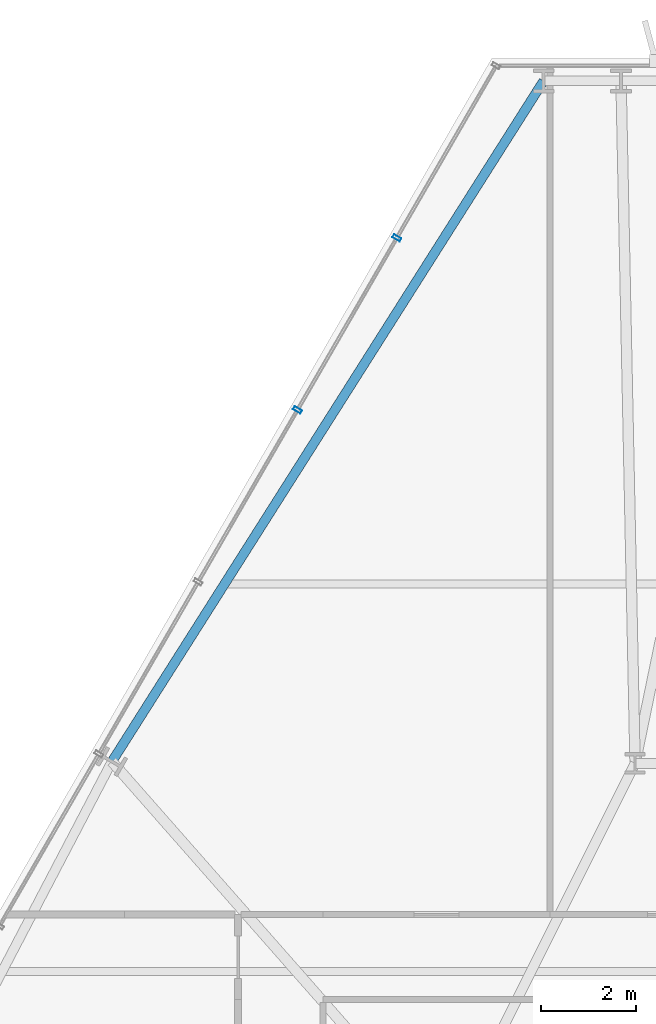
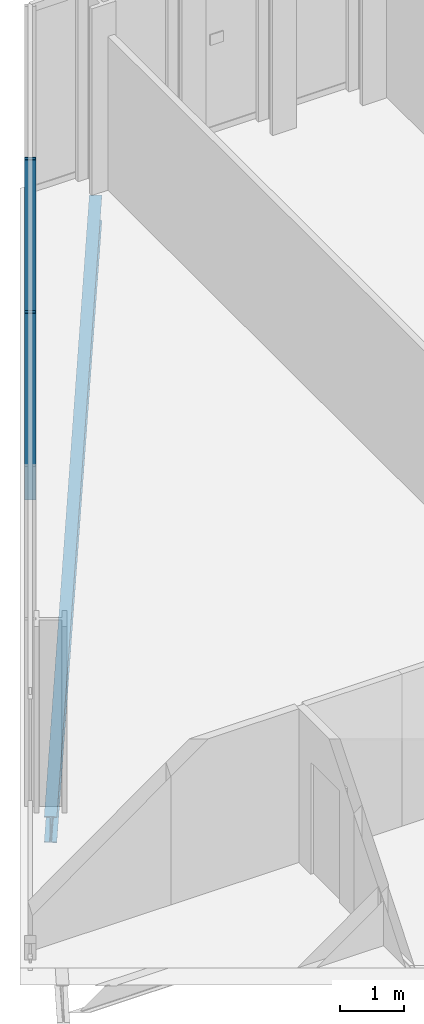
# One storey, part 20 of 31: 2 members, 1 beam, 1 element without a shape of its own.
"""IFC4 building model written with IfcOpenShell, lengths in metres."""

from ifc_helpers import new_model, si_unit, direction, frame, origin, origin_2d, place, context, subcontext, project, spatial, hollow_rectangle, i_section, extrude, material, layer, layer_set, material_profile, profile_set, type_object, element, aggregate, save


model = new_model("IFC4")

# Units and contexts
model_context = context("Model", 3, precision=1e-05, world=origin(), true_north=direction((0.0, 1.0)))
body_context = subcontext(model_context, "Body", "Model", "MODEL_VIEW")
ifc_project = project(units=[si_unit("LENGTHUNIT", "METRE"), si_unit("AREAUNIT", "SQUARE_METRE"), si_unit("VOLUMEUNIT", "CUBIC_METRE"), si_unit("PLANEANGLEUNIT", "RADIAN"), si_unit("MASSUNIT", "GRAM", prefix="KILO")], contexts=[model_context])

# Site, building, storey
site_placement = place(None, origin())
site = spatial("IfcSite", under=ifc_project, at=site_placement, CompositionType="ELEMENT")
building_placement = place(site_placement, origin())
building = spatial("IfcBuilding", under=site, at=building_placement, Name="Ndaravel Arena Tower", CompositionType="ELEMENT")
storey_placement = place(building_placement, frame((0.0, 0.0, 104.39990234375)))
storey = spatial("IfcBuildingStorey", under=building, at=storey_placement, Name="L24", CompositionType="ELEMENT", Elevation=104.39990234375)

# Beam
ifc_material_1 = material(Name="Steel S355", Category="steel")
ifc_material_profile_1 = material_profile(ifc_material_1, i_section(OverallWidth=0.199951171875, OverallDepth=0.5, WebThickness=0.01025390625, FlangeThickness=0.01611328125, FilletRadius=0.02099609375, at=origin_2d()), Name="IPE 500")
ifc_profile_set_1 = profile_set([ifc_material_profile_1], Name="Steel S355")
beam_type = type_object("IfcBeamType", Name="BM-SPAN-IPE500", PredefinedType="SPANDREL", material=ifc_profile_set_1)
beam_placement = place(storey_placement, frame((36.2646484375, 45.642578125, -0.469970703125), z_axis=(-0.535583851753, -0.844482052942, 0.0), x_axis=(0.844482052942, -0.535583851753, 0.0)))
element("IfcBeam", 1, at=beam_placement, inside=storey, type_object=beam_type, Name="L24 Perimeter Spandrel Beam SP-18", PredefinedType="SPANDREL", context=body_context, shape_type="SweptSolid", body=[
    extrude(i_section(OverallWidth=0.199951171875, OverallDepth=0.5, WebThickness=0.01025390625, FlangeThickness=0.01611328125, FilletRadius=0.02099609375, at=origin_2d()), origin(), (0.0, 0.0, 1.0), 17.0576171875),
])

# Curtain wall, members
ifc_material_2 = material(Name="Aluminium", Category="aluminium")
ifc_layer = layer(ifc_material_2, 0.179931640625)
ifc_layer_set = layer_set([ifc_layer], Name="Aluminium")
curtain_wall_type = type_object("IfcCurtainWallType", Name="CW-SYS-03", PredefinedType="NOTDEFINED", material=ifc_layer_set)
curtain_wall_placement = place(storey_placement, origin())
curtain_wall = element("IfcCurtainWall", 2, at=curtain_wall_placement, inside=storey, type_object=curtain_wall_type, Name="L24 Faceted Crystal Curtain Wall CW-L24-E05", PredefinedType="NOTDEFINED")
ifc_material_3 = material(Name="Aluminium", Category="aluminium")
ifc_material_profile_2 = material_profile(ifc_material_3, hollow_rectangle(XDim=0.074951171875, YDim=0.179931640625, WallThickness=0.00390625, at=origin_2d()), Name="CW MULLION 75x180x4")
ifc_profile_set_2 = profile_set([ifc_material_profile_2], Name="Aluminium")
member_type = type_object("IfcMemberType", Name="MEM-CW-MUL180", PredefinedType="MULLION", material=ifc_profile_set_2)
member_1_placement = place(storey_placement, frame((33.158447265625, 42.3212890625, 0.0), z_axis=(0.0, 0.0, 1.0), x_axis=(-0.5, -0.866025403784, 0.0)))
member_1 = element("IfcMember", 3, at=member_1_placement, type_object=member_type, Name="CW-L24-E05 Mullion 01", PredefinedType="MULLION", context=body_context, shape_type="SweptSolid", body=[
    extrude(hollow_rectangle(XDim=0.074951171875, YDim=0.179931640625, WallThickness=0.00390625, at=origin_2d()), origin(), (0.0, 0.0, 1.0), 3.580078125),
])
member_2_placement = place(storey_placement, frame((31.05615234375, 38.68017578125, 0.0), z_axis=(0.0, 0.0, 1.0), x_axis=(-0.5, -0.866025403784, 0.0)))
member_2 = element("IfcMember", 4, at=member_2_placement, type_object=member_type, Name="CW-L24-E05 Mullion 02", PredefinedType="MULLION", context=body_context, shape_type="SweptSolid", body=[
    extrude(hollow_rectangle(XDim=0.074951171875, YDim=0.179931640625, WallThickness=0.00390625, at=origin_2d()), origin(), (0.0, 0.0, 1.0), 3.580078125),
])
aggregate(curtain_wall, [member_1, member_2])

save(model, "model.ifc")
